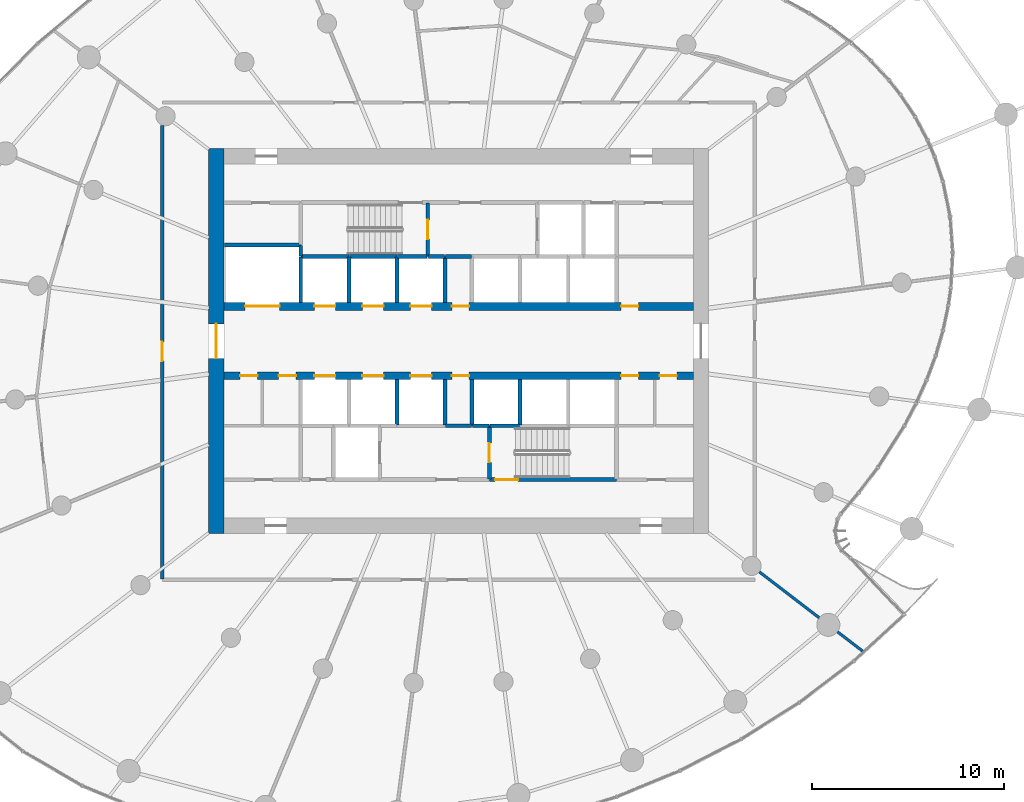
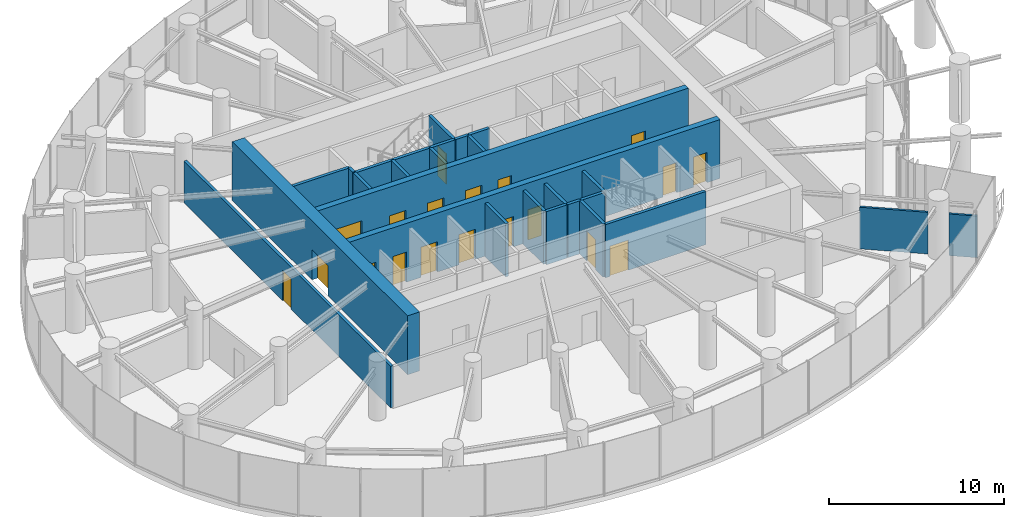
# One storey, part 15 of 21: 27 walls, 19 doors, 19 openings.
"""IFC4 building model written with IfcOpenShell, lengths in metres."""

from ifc_helpers import new_model, si_unit, direction, frame, frame_2d, origin, place, context, subcontext, project, spatial, rectangle, extrude, source, transform, mapped, material, layer, layer_set, type_object, element, fill, save


model = new_model("IFC4")

# Units and contexts
model_context = context("Model", 3, precision=1e-05, world=origin(), true_north=direction((0.0, 1.0)))
body_context = subcontext(model_context, "Body", "Model", "MODEL_VIEW")
ifc_project = project(units=[si_unit("LENGTHUNIT", "METRE"), si_unit("AREAUNIT", "SQUARE_METRE"), si_unit("VOLUMEUNIT", "CUBIC_METRE"), si_unit("PLANEANGLEUNIT", "RADIAN"), si_unit("MASSUNIT", "GRAM", prefix="KILO")], contexts=[model_context])

# Site, building, storey
site_placement = place(None, origin())
site = spatial("IfcSite", under=ifc_project, at=site_placement, CompositionType="ELEMENT")
building_placement = place(site_placement, origin())
building = spatial("IfcBuilding", under=site, at=building_placement, Name="Spindrift Exchange Tower", CompositionType="ELEMENT")
storey_placement = place(building_placement, frame((0.0, 0.0, 83.89990234375)))
storey = spatial("IfcBuildingStorey", under=building, at=storey_placement, Name="L19", CompositionType="ELEMENT", Elevation=83.89990234375)

# Wall, opening, door
ifc_material_1 = material(Name="Concrete 65 MPa", Category="concrete")
ifc_layer_1 = layer(ifc_material_1, 0.800048828125)
ifc_layer_set_1 = layer_set([ifc_layer_1], Name="RC Core Wall 800 Concrete 65 MPa")
wall_type_1 = type_object("IfcWallType", Name="RC Core Wall 800 Concrete 65 MPa", PredefinedType="SHEAR", material=ifc_layer_set_1)
wall_1_placement = place(storey_placement, frame((39.39990234375, 58.0, 0.0), z_axis=(0.0, 0.0, 1.0), x_axis=(0.0, -1.0, 0.0)))
wall_1 = element("IfcWall", 1, at=wall_1_placement, inside=storey, type_object=wall_type_1, Name="Core wall W L19", PredefinedType="SHEAR", context=body_context, shape_type="SweptSolid", body=[
    extrude(rectangle(XDim=20.0, YDim=0.800048828125, at=frame_2d((10.0, 0.0))), origin(), (0.0, 0.0, 1.0), 4.10009765625),
])
opening_1_placement = place(wall_1_placement, frame((9.10009765625, 0.0, 0.0)))
opening_1 = element("IfcOpeningElement", 2, at=opening_1_placement, cuts=wall_1, Name="Opening L19-D1", PredefinedType="OPENING", context=body_context, shape_type="SweptSolid", body=[
    extrude(rectangle(XDim=1.800048828125, YDim=2.10009765625, at=frame_2d((0.89990234375, 1.050048828125))), frame((0.0, 0.409912109375, 0.0), z_axis=(0.0, -1.0, 0.0), x_axis=(1.0, 0.0, 0.0)), (0.0, 0.0, 1.0), 0.820068359375),
])
ifc_material_2 = material(Name="Timber-core fire door", Category="wood")
door_type_1 = type_object("IfcDoorType", Name="DR-LOBBY-1800", OperationType="NOTDEFINED", PredefinedType="DOOR", material=ifc_material_2)
shared_shape_1 = source(origin(), body_context, "Body", "SweptSolid", [
    extrude(rectangle(XDim=1.800048828125, YDim=2.10009765625, at=frame_2d((0.89990234375, 1.050048828125))), frame((0.0, 0.02490234375, 0.0), z_axis=(0.0, -1.0, 0.0), x_axis=(1.0, 0.0, 0.0)), (0.0, 0.0, 1.0), 0.050048828125),
])
door_1_placement = place(opening_1_placement, origin())
door_1 = element("IfcDoor", 3, at=door_1_placement, inside=storey, type_object=door_type_1, Name="L19 Lobby door 1", OperationType="SINGLE_SWING_LEFT", OverallHeight=2.10009765625, OverallWidth=1.800048828125, PredefinedType="DOOR", context=body_context, shape_type="MappedRepresentation", body=[
    mapped(shared_shape_1, transform((0.0, 0.0, 0.0), scale=1.0)),
])
fill(opening_1, door_1)

# Wall, openings, doors
ifc_layer_2 = layer(ifc_material_1, 0.39990234375)
ifc_layer_set_2 = layer_set([ifc_layer_2], Name="RC Spine Wall 400 Concrete 65 MPa")
wall_type_2 = type_object("IfcWallType", Name="RC Spine Wall 400 Concrete 65 MPa", PredefinedType="SHEAR", material=ifc_layer_set_2)
wall_2_placement = place(storey_placement, frame((39.800048828125, 49.800048828125, 0.0), z_axis=(0.0, 0.0, 1.0), x_axis=(1.0, 0.0, 0.0)))
wall_2 = element("IfcWall", 4, at=wall_2_placement, inside=storey, type_object=wall_type_2, Name="Core spine wall N L19", PredefinedType="SHEAR", context=body_context, shape_type="SweptSolid", body=[
    extrude(rectangle(XDim=24.39990234375, YDim=0.39990234375, at=frame_2d((12.199951171875, 0.0))), origin(), (0.0, 0.0, 1.0), 4.10009765625),
])
opening_2_placement = place(wall_2_placement, frame((4.699951171875, 0.0, 0.0)))
opening_2 = element("IfcOpeningElement", 5, at=opening_2_placement, cuts=wall_2, Name="Opening L19-D3", PredefinedType="OPENING", context=body_context, shape_type="SweptSolid", body=[
    extrude(rectangle(XDim=1.10009765625, YDim=2.10009765625, at=frame_2d((0.550048828125, 1.050048828125))), frame((0.0, 0.2099609375, 0.0), z_axis=(0.0, -1.0, 0.0), x_axis=(1.0, 0.0, 0.0)), (0.0, 0.0, 1.0), 0.419921875),
])
opening_3_placement = place(wall_2_placement, frame((7.199951171875, 0.0, 0.0)))
opening_3 = element("IfcOpeningElement", 6, at=opening_3_placement, cuts=wall_2, Name="Opening L19-D4", PredefinedType="OPENING", context=body_context, shape_type="SweptSolid", body=[
    extrude(rectangle(XDim=1.10009765625, YDim=2.10009765625, at=frame_2d((0.550048828125, 1.050048828125))), frame((0.0, 0.2099609375, 0.0), z_axis=(0.0, -1.0, 0.0), x_axis=(1.0, 0.0, 0.0)), (0.0, 0.0, 1.0), 0.419921875),
])
opening_4_placement = place(wall_2_placement, frame((9.699951171875, 0.0, 0.0)))
opening_4 = element("IfcOpeningElement", 7, at=opening_4_placement, cuts=wall_2, Name="Opening L19-D5", PredefinedType="OPENING", context=body_context, shape_type="SweptSolid", body=[
    extrude(rectangle(XDim=1.10009765625, YDim=2.10009765625, at=frame_2d((0.550048828125, 1.050048828125))), frame((0.0, 0.2099609375, 0.0), z_axis=(0.0, -1.0, 0.0), x_axis=(1.0, 0.0, 0.0)), (0.0, 0.0, 1.0), 0.419921875),
])
opening_5_placement = place(wall_2_placement, frame((1.10009765625, 0.0, 0.0)))
opening_5 = element("IfcOpeningElement", 8, at=opening_5_placement, cuts=wall_2, Name="Opening L19-D12", PredefinedType="OPENING", context=body_context, shape_type="SweptSolid", body=[
    extrude(rectangle(XDim=1.800048828125, YDim=2.39990234375, at=frame_2d((0.89990234375, 1.199951171875))), frame((0.0, 0.2099609375, 0.0), z_axis=(0.0, -1.0, 0.0), x_axis=(1.0, 0.0, 0.0)), (0.0, 0.0, 1.0), 0.419921875),
])
opening_6_placement = place(wall_2_placement, frame((20.64990234375, 0.0, 0.0)))
opening_6 = element("IfcOpeningElement", 9, at=opening_6_placement, cuts=wall_2, Name="Opening L19-D47", PredefinedType="OPENING", context=body_context, shape_type="SweptSolid", body=[
    extrude(rectangle(XDim=0.89990234375, YDim=2.10009765625, at=frame_2d((0.449951171875, 1.050048828125))), frame((0.0, 0.2099609375, 0.0), z_axis=(0.0, -1.0, 0.0), x_axis=(1.0, 0.0, 0.0)), (0.0, 0.0, 1.0), 0.419921875),
])
opening_7_placement = place(wall_2_placement, frame((11.85009765625, 0.0, 0.0)))
opening_7 = element("IfcOpeningElement", 10, at=opening_7_placement, cuts=wall_2, Name="Opening L19-D52", PredefinedType="OPENING", context=body_context, shape_type="SweptSolid", body=[
    extrude(rectangle(XDim=0.89990234375, YDim=2.10009765625, at=frame_2d((0.449951171875, 1.050048828125))), frame((0.0, 0.2099609375, 0.0), z_axis=(0.0, -1.0, 0.0), x_axis=(1.0, 0.0, 0.0)), (0.0, 0.0, 1.0), 0.419921875),
])
ifc_material_3 = material(Name="Stainless steel landing door", Category="steel")
door_type_2 = type_object("IfcDoorType", Name="DR-LANDING-1100-SL", OperationType="DOUBLE_DOOR_SLIDING", PredefinedType="USERDEFINED", material=ifc_material_3)
shared_shape_2 = source(origin(), body_context, "Body", "SweptSolid", [
    extrude(rectangle(XDim=1.10009765625, YDim=2.10009765625, at=frame_2d((0.550048828125, 1.050048828125))), frame((0.0, 0.02490234375, 0.0), z_axis=(0.0, -1.0, 0.0), x_axis=(1.0, 0.0, 0.0)), (0.0, 0.0, 1.0), 0.050048828125),
])
door_2_placement = place(opening_2_placement, origin())
door_2 = element("IfcDoor", 11, at=door_2_placement, inside=storey, type_object=door_type_2, Name="L19 Lift landing door 3", ObjectType="LANDING DOOR", OperationType="DOUBLE_DOOR_SLIDING", OverallHeight=2.10009765625, OverallWidth=1.10009765625, PredefinedType="USERDEFINED", context=body_context, shape_type="MappedRepresentation", body=[
    mapped(shared_shape_2, transform((0.0, 0.0, 0.0), scale=1.0)),
])
fill(opening_2, door_2)
door_3_placement = place(opening_3_placement, origin())
door_3 = element("IfcDoor", 12, at=door_3_placement, inside=storey, type_object=door_type_2, Name="L19 Lift landing door 4", ObjectType="LANDING DOOR", OperationType="DOUBLE_DOOR_SLIDING", OverallHeight=2.10009765625, OverallWidth=1.10009765625, PredefinedType="USERDEFINED", context=body_context, shape_type="MappedRepresentation", body=[
    mapped(shared_shape_2, transform((0.0, 0.0, 0.0), scale=1.0)),
])
fill(opening_3, door_3)
door_4_placement = place(opening_4_placement, origin())
door_4 = element("IfcDoor", 13, at=door_4_placement, inside=storey, type_object=door_type_2, Name="L19 Lift landing door 5", ObjectType="LANDING DOOR", OperationType="DOUBLE_DOOR_SLIDING", OverallHeight=2.10009765625, OverallWidth=1.10009765625, PredefinedType="USERDEFINED", context=body_context, shape_type="MappedRepresentation", body=[
    mapped(shared_shape_2, transform((0.0, 0.0, 0.0), scale=1.0)),
])
fill(opening_4, door_4)
door_type_3 = type_object("IfcDoorType", Name="DR-LANDING-1800-SL", OperationType="DOUBLE_DOOR_SLIDING", PredefinedType="USERDEFINED", material=ifc_material_3)
shared_shape_3 = source(origin(), body_context, "Body", "SweptSolid", [
    extrude(rectangle(XDim=1.800048828125, YDim=2.39990234375, at=frame_2d((0.89990234375, 1.199951171875))), frame((0.0, 0.02490234375, 0.0), z_axis=(0.0, -1.0, 0.0), x_axis=(1.0, 0.0, 0.0)), (0.0, 0.0, 1.0), 0.050048828125),
])
door_5_placement = place(opening_5_placement, origin())
door_5 = element("IfcDoor", 14, at=door_5_placement, inside=storey, type_object=door_type_3, Name="L19 Lift landing door 12", ObjectType="LANDING DOOR", OperationType="DOUBLE_DOOR_SLIDING", OverallHeight=2.39990234375, OverallWidth=1.800048828125, PredefinedType="USERDEFINED", context=body_context, shape_type="MappedRepresentation", body=[
    mapped(shared_shape_3, transform((0.0, 0.0, 0.0), scale=1.0)),
])
fill(opening_5, door_5)
ifc_material_4 = material(Name="Steel access door", Category="steel")
door_type_4 = type_object("IfcDoorType", Name="DR-RISER-900", OperationType="NOTDEFINED", PredefinedType="DOOR", material=ifc_material_4)
shared_shape_4 = source(origin(), body_context, "Body", "SweptSolid", [
    extrude(rectangle(XDim=0.89990234375, YDim=2.10009765625, at=frame_2d((0.449951171875, 1.050048828125))), frame((0.0, 0.02490234375, 0.0), z_axis=(0.0, -1.0, 0.0), x_axis=(1.0, 0.0, 0.0)), (0.0, 0.0, 1.0), 0.050048828125),
])
door_6_placement = place(opening_6_placement, origin())
door_6 = element("IfcDoor", 15, at=door_6_placement, inside=storey, type_object=door_type_4, Name="L19 Riser door 47", OperationType="SINGLE_SWING_LEFT", OverallHeight=2.10009765625, OverallWidth=0.89990234375, PredefinedType="DOOR", context=body_context, shape_type="MappedRepresentation", body=[
    mapped(shared_shape_4, transform((0.0, 0.0, 0.0), scale=1.0)),
])
fill(opening_6, door_6)
door_7_placement = place(opening_7_placement, origin())
door_7 = element("IfcDoor", 16, at=door_7_placement, inside=storey, type_object=door_type_4, Name="L19 Riser door 52", OperationType="SINGLE_SWING_RIGHT", OverallHeight=2.10009765625, OverallWidth=0.89990234375, PredefinedType="DOOR", context=body_context, shape_type="MappedRepresentation", body=[
    mapped(shared_shape_4, transform((0.0, 0.0, 0.0), scale=1.0)),
])
fill(opening_7, door_7)

wall_3_placement = place(storey_placement, frame((39.800048828125, 46.199951171875, 0.0), z_axis=(0.0, 0.0, 1.0), x_axis=(1.0, 0.0, 0.0)))
wall_3 = element("IfcWall", 17, at=wall_3_placement, inside=storey, type_object=wall_type_2, Name="Core spine wall S L19", PredefinedType="SHEAR", context=body_context, shape_type="SweptSolid", body=[
    extrude(rectangle(XDim=24.39990234375, YDim=0.39990234375, at=frame_2d((12.199951171875, 0.0))), origin(), (0.0, 0.0, 1.0), 4.10009765625),
])
opening_8_placement = place(wall_3_placement, frame((4.699951171875, 0.0, 0.0)))
opening_8 = element("IfcOpeningElement", 18, at=opening_8_placement, cuts=wall_3, Name="Opening L19-D6", PredefinedType="OPENING", context=body_context, shape_type="SweptSolid", body=[
    extrude(rectangle(XDim=1.10009765625, YDim=2.10009765625, at=frame_2d((0.550048828125, 1.050048828125))), frame((0.0, 0.2099609375, 0.0), z_axis=(0.0, -1.0, 0.0), x_axis=(1.0, 0.0, 0.0)), (0.0, 0.0, 1.0), 0.419921875),
])
opening_9_placement = place(wall_3_placement, frame((7.199951171875, 0.0, 0.0)))
opening_9 = element("IfcOpeningElement", 19, at=opening_9_placement, cuts=wall_3, Name="Opening L19-D7", PredefinedType="OPENING", context=body_context, shape_type="SweptSolid", body=[
    extrude(rectangle(XDim=1.10009765625, YDim=2.10009765625, at=frame_2d((0.550048828125, 1.050048828125))), frame((0.0, 0.2099609375, 0.0), z_axis=(0.0, -1.0, 0.0), x_axis=(1.0, 0.0, 0.0)), (0.0, 0.0, 1.0), 0.419921875),
])
opening_10_placement = place(wall_3_placement, frame((9.699951171875, 0.0, 0.0)))
opening_10 = element("IfcOpeningElement", 20, at=opening_10_placement, cuts=wall_3, Name="Opening L19-D8", PredefinedType="OPENING", context=body_context, shape_type="SweptSolid", body=[
    extrude(rectangle(XDim=1.10009765625, YDim=2.10009765625, at=frame_2d((0.550048828125, 1.050048828125))), frame((0.0, 0.2099609375, 0.0), z_axis=(0.0, -1.0, 0.0), x_axis=(1.0, 0.0, 0.0)), (0.0, 0.0, 1.0), 0.419921875),
])
opening_11_placement = place(wall_3_placement, frame((20.64990234375, 0.0, 0.0)))
opening_11 = element("IfcOpeningElement", 21, at=opening_11_placement, cuts=wall_3, Name="Opening L19-D45", PredefinedType="OPENING", context=body_context, shape_type="SweptSolid", body=[
    extrude(rectangle(XDim=0.89990234375, YDim=2.10009765625, at=frame_2d((0.449951171875, 1.050048828125))), frame((0.0, 0.2099609375, 0.0), z_axis=(0.0, -1.0, 0.0), x_axis=(1.0, 0.0, 0.0)), (0.0, 0.0, 1.0), 0.419921875),
])
opening_12_placement = place(wall_3_placement, frame((22.64990234375, 0.0, 0.0)))
opening_12 = element("IfcOpeningElement", 22, at=opening_12_placement, cuts=wall_3, Name="Opening L19-D46", PredefinedType="OPENING", context=body_context, shape_type="SweptSolid", body=[
    extrude(rectangle(XDim=0.89990234375, YDim=2.10009765625, at=frame_2d((0.449951171875, 1.050048828125))), frame((0.0, 0.2099609375, 0.0), z_axis=(0.0, -1.0, 0.0), x_axis=(1.0, 0.0, 0.0)), (0.0, 0.0, 1.0), 0.419921875),
])
opening_13_placement = place(wall_3_placement, frame((0.85009765625, 0.0, 0.0)))
opening_13 = element("IfcOpeningElement", 23, at=opening_13_placement, cuts=wall_3, Name="Opening L19-D50", PredefinedType="OPENING", context=body_context, shape_type="SweptSolid", body=[
    extrude(rectangle(XDim=0.89990234375, YDim=2.10009765625, at=frame_2d((0.449951171875, 1.050048828125))), frame((0.0, 0.2099609375, 0.0), z_axis=(0.0, -1.0, 0.0), x_axis=(1.0, 0.0, 0.0)), (0.0, 0.0, 1.0), 0.419921875),
])
opening_14_placement = place(wall_3_placement, frame((2.85009765625, 0.0, 0.0)))
opening_14 = element("IfcOpeningElement", 24, at=opening_14_placement, cuts=wall_3, Name="Opening L19-D51", PredefinedType="OPENING", context=body_context, shape_type="SweptSolid", body=[
    extrude(rectangle(XDim=0.89990234375, YDim=2.10009765625, at=frame_2d((0.449951171875, 1.050048828125))), frame((0.0, 0.2099609375, 0.0), z_axis=(0.0, -1.0, 0.0), x_axis=(1.0, 0.0, 0.0)), (0.0, 0.0, 1.0), 0.419921875),
])
opening_15_placement = place(wall_3_placement, frame((11.85009765625, 0.0, 0.0)))
opening_15 = element("IfcOpeningElement", 25, at=opening_15_placement, cuts=wall_3, Name="Opening L19-D53", PredefinedType="OPENING", context=body_context, shape_type="SweptSolid", body=[
    extrude(rectangle(XDim=0.89990234375, YDim=2.10009765625, at=frame_2d((0.449951171875, 1.050048828125))), frame((0.0, 0.2099609375, 0.0), z_axis=(0.0, -1.0, 0.0), x_axis=(1.0, 0.0, 0.0)), (0.0, 0.0, 1.0), 0.419921875),
])
door_8_placement = place(opening_8_placement, origin())
door_8 = element("IfcDoor", 26, at=door_8_placement, inside=storey, type_object=door_type_2, Name="L19 Lift landing door 6", ObjectType="LANDING DOOR", OperationType="DOUBLE_DOOR_SLIDING", OverallHeight=2.10009765625, OverallWidth=1.10009765625, PredefinedType="USERDEFINED", context=body_context, shape_type="MappedRepresentation", body=[
    mapped(shared_shape_2, transform((0.0, 0.0, 0.0), scale=1.0)),
])
fill(opening_8, door_8)
door_9_placement = place(opening_9_placement, origin())
door_9 = element("IfcDoor", 27, at=door_9_placement, inside=storey, type_object=door_type_2, Name="L19 Lift landing door 7", ObjectType="LANDING DOOR", OperationType="DOUBLE_DOOR_SLIDING", OverallHeight=2.10009765625, OverallWidth=1.10009765625, PredefinedType="USERDEFINED", context=body_context, shape_type="MappedRepresentation", body=[
    mapped(shared_shape_2, transform((0.0, 0.0, 0.0), scale=1.0)),
])
fill(opening_9, door_9)
door_10_placement = place(opening_10_placement, origin())
door_10 = element("IfcDoor", 28, at=door_10_placement, inside=storey, type_object=door_type_2, Name="L19 Lift landing door 8", ObjectType="LANDING DOOR", OperationType="DOUBLE_DOOR_SLIDING", OverallHeight=2.10009765625, OverallWidth=1.10009765625, PredefinedType="USERDEFINED", context=body_context, shape_type="MappedRepresentation", body=[
    mapped(shared_shape_2, transform((0.0, 0.0, 0.0), scale=1.0)),
])
fill(opening_10, door_10)
door_11_placement = place(opening_11_placement, origin())
door_11 = element("IfcDoor", 29, at=door_11_placement, inside=storey, type_object=door_type_4, Name="L19 Riser door 45", OperationType="SINGLE_SWING_LEFT", OverallHeight=2.10009765625, OverallWidth=0.89990234375, PredefinedType="DOOR", context=body_context, shape_type="MappedRepresentation", body=[
    mapped(shared_shape_4, transform((0.0, 0.0, 0.0), scale=1.0)),
])
fill(opening_11, door_11)
door_12_placement = place(opening_12_placement, origin())
door_12 = element("IfcDoor", 30, at=door_12_placement, inside=storey, type_object=door_type_4, Name="L19 Riser door 46", OperationType="SINGLE_SWING_RIGHT", OverallHeight=2.10009765625, OverallWidth=0.89990234375, PredefinedType="DOOR", context=body_context, shape_type="MappedRepresentation", body=[
    mapped(shared_shape_4, transform((0.0, 0.0, 0.0), scale=1.0)),
])
fill(opening_12, door_12)
door_13_placement = place(opening_13_placement, origin())
door_13 = element("IfcDoor", 31, at=door_13_placement, inside=storey, type_object=door_type_4, Name="L19 Riser door 50", OperationType="SINGLE_SWING_RIGHT", OverallHeight=2.10009765625, OverallWidth=0.89990234375, PredefinedType="DOOR", context=body_context, shape_type="MappedRepresentation", body=[
    mapped(shared_shape_4, transform((0.0, 0.0, 0.0), scale=1.0)),
])
fill(opening_13, door_13)
door_14_placement = place(opening_14_placement, origin())
door_14 = element("IfcDoor", 32, at=door_14_placement, inside=storey, type_object=door_type_4, Name="L19 Riser door 51", OperationType="SINGLE_SWING_LEFT", OverallHeight=2.10009765625, OverallWidth=0.89990234375, PredefinedType="DOOR", context=body_context, shape_type="MappedRepresentation", body=[
    mapped(shared_shape_4, transform((0.0, 0.0, 0.0), scale=1.0)),
])
fill(opening_14, door_14)
door_15_placement = place(opening_15_placement, origin())
door_15 = element("IfcDoor", 33, at=door_15_placement, inside=storey, type_object=door_type_4, Name="L19 Riser door 53", OperationType="SINGLE_SWING_LEFT", OverallHeight=2.10009765625, OverallWidth=0.89990234375, PredefinedType="DOOR", context=body_context, shape_type="MappedRepresentation", body=[
    mapped(shared_shape_4, transform((0.0, 0.0, 0.0), scale=1.0)),
])
fill(opening_15, door_15)

# Walls
ifc_material_5 = material(Name="Fire-rated plasterboard partition", Category="gypsum")
ifc_layer_3 = layer(ifc_material_5, 0.139892578125)
ifc_layer_set_3 = layer_set([ifc_layer_3], Name="W-PLANT-140")
wall_type_3 = type_object("IfcWallType", Name="W-PLANT-140", PredefinedType="PARTITIONING", material=ifc_layer_set_3)
wall_4_placement = place(storey_placement, frame((67.632568359375, 36.004638671875, 0.0), z_axis=(0.0, 0.0, 1.0), x_axis=(0.793362528146, -0.608749454977, 0.0)))
element("IfcWall", 34, at=wall_4_placement, inside=storey, type_object=wall_type_3, Name="L19 Partition wall 88", PredefinedType="PARTITIONING", context=body_context, shape_type="SweptSolid", body=[
    extrude(rectangle(XDim=3.9169921875, YDim=0.139892578125, at=frame_2d((1.95849609375, 0.0))), origin(), (0.0, 0.0, 1.0), 2.900146484375),
])
wall_5_placement = place(storey_placement, frame((71.69921875, 32.88427734375, 0.0), z_axis=(0.0, 0.0, 1.0), x_axis=(0.793364464168, -0.608746931816, 0.0)))
element("IfcWall", 35, at=wall_5_placement, inside=storey, type_object=wall_type_3, Name="L19 Partition wall 109", PredefinedType="PARTITIONING", context=body_context, shape_type="SweptSolid", body=[
    extrude(rectangle(XDim=1.64111328125, YDim=0.139892578125, at=frame_2d((0.820556640625, 0.0))), origin(), (0.0, 0.0, 1.0), 2.900146484375),
])

# Wall, opening, door
ifc_layer_4 = layer(ifc_material_5, 0.179931640625)
ifc_layer_set_4 = layer_set([ifc_layer_4], Name="W-PLANT-180")
wall_type_4 = type_object("IfcWallType", Name="W-PLANT-180", PredefinedType="PARTITIONING", material=ifc_layer_set_4)
wall_6_placement = place(storey_placement, frame((36.60009765625, 35.6298828125, 0.0), z_axis=(0.0, 0.0, 1.0), x_axis=(0.0, 1.0, 0.0)))
wall_6 = element("IfcWall", 36, at=wall_6_placement, inside=storey, type_object=wall_type_4, Name="L19 Partition wall 60", PredefinedType="PARTITIONING", context=body_context, shape_type="SweptSolid", body=[
    extrude(rectangle(XDim=23.58251953125, YDim=0.179931640625, at=frame_2d((11.791259765625, 0.0))), origin(), (0.0, 0.0, 1.0), 2.900146484375),
])
opening_16_placement = place(wall_6_placement, frame((11.33251953125, 0.0, 0.0)))
opening_16 = element("IfcOpeningElement", 37, at=opening_16_placement, cuts=wall_6, Name="Opening L19-D34", PredefinedType="OPENING", context=body_context, shape_type="SweptSolid", body=[
    extrude(rectangle(XDim=1.0, YDim=2.10009765625, at=frame_2d((0.5, 1.050048828125))), frame((0.0, 0.099853515625, 0.0), z_axis=(0.0, -1.0, 0.0), x_axis=(1.0, 0.0, 0.0)), (0.0, 0.0, 1.0), 0.199951171875),
])
door_type_5 = type_object("IfcDoorType", Name="DR-ROOM-1000", OperationType="NOTDEFINED", PredefinedType="DOOR", material=ifc_material_2)
shared_shape_5 = source(origin(), body_context, "Body", "SweptSolid", [
    extrude(rectangle(XDim=1.0, YDim=2.10009765625, at=frame_2d((0.5, 1.050048828125))), frame((0.0, 0.02490234375, 0.0), z_axis=(0.0, -1.0, 0.0), x_axis=(1.0, 0.0, 0.0)), (0.0, 0.0, 1.0), 0.050048828125),
])
door_16_placement = place(opening_16_placement, origin())
door_16 = element("IfcDoor", 38, at=door_16_placement, inside=storey, type_object=door_type_5, Name="L19 Door 34", OperationType="SINGLE_SWING_RIGHT", OverallHeight=2.10009765625, OverallWidth=1.0, PredefinedType="DOOR", context=body_context, shape_type="MappedRepresentation", body=[
    mapped(shared_shape_5, transform((0.0, 0.0, 0.0), scale=1.0)),
])
fill(opening_16, door_16)

# Walls
ifc_material_6 = material(Name="Concrete 40 MPa", Category="concrete")
ifc_layer_5 = layer(ifc_material_6, 0.199951171875)
ifc_layer_set_5 = layer_set([ifc_layer_5], Name="W-SHAFT-200")
wall_type_5 = type_object("IfcWallType", Name="W-SHAFT-200", PredefinedType="SOLIDWALL", material=ifc_layer_set_5)
for number, where, z_axis, x_axis, name in (
    (39, (48.800048828125, 43.6298828125, 0.0), (0.0, 0.0, 1.0), (0.0, 1.0, 0.0), "L19 Shaft wall 27"),
    (40, (51.300048828125, 43.6298828125, 0.0), (0.0, 0.0, 1.0), (0.0, 1.0, 0.0), "L19 Shaft wall 29"),
):
    element("IfcWall", number, at=place(storey_placement, frame(where, z_axis=z_axis, x_axis=x_axis)), inside=storey, type_object=wall_type_5, Name=name, PredefinedType="SOLIDWALL", context=body_context, shape_type="SweptSolid", body=[
        extrude(rectangle(XDim=2.360107421875, YDim=0.199951171875, at=frame_2d((1.18017578125, 0.0))), origin(), (0.0, 0.0, 1.0), 3.7001953125),
    ])
for number, where, z_axis, x_axis, name in (
    (41, (51.300048828125, 50.010009765625, 0.0), (0.0, 0.0, 1.0), (0.0, 1.0, 0.0), "L19 Shaft wall 30"),
    (42, (52.699951171875, 45.989990234375, 0.0), (0.0, 0.0, 1.0), (0.0, -1.0, 0.0), "L19 Shaft wall 31"),
):
    element("IfcWall", number, at=place(storey_placement, frame(where, z_axis=z_axis, x_axis=x_axis)), inside=storey, type_object=wall_type_5, Name=name, PredefinedType="SOLIDWALL", context=body_context, shape_type="SweptSolid", body=[
        extrude(rectangle(XDim=2.389892578125, YDim=0.199951171875, at=frame_2d((1.19482421875, 0.0))), origin(), (0.0, 0.0, 1.0), 3.7001953125),
    ])
for number, where, z_axis, x_axis, name in (
    (43, (52.669921875, 43.60009765625, 0.0), (0.0, 0.0, 1.0), (-1.0, 0.0, 0.0), "L19 Shaft wall 48"),
    (44, (51.330078125, 52.39990234375, 0.0), (0.0, 0.0, 1.0), (1.0, 0.0, 0.0), "L19 Shaft wall 49"),
):
    element("IfcWall", number, at=place(storey_placement, frame(where, z_axis=z_axis, x_axis=x_axis)), inside=storey, type_object=wall_type_5, Name=name, PredefinedType="SOLIDWALL", context=body_context, shape_type="SweptSolid", body=[
        extrude(rectangle(XDim=1.33984375, YDim=0.199951171875, at=frame_2d((0.669921875, 0.0))), origin(), (0.0, 0.0, 1.0), 3.7001953125),
    ])

# Wall, opening, door
ifc_layer_6 = layer(ifc_material_6, 0.199951171875)
ifc_layer_set_6 = layer_set([ifc_layer_6], Name="W-SHAFT-200-LB")
wall_type_6 = type_object("IfcWallType", Name="W-SHAFT-200-LB", PredefinedType="SOLIDWALL", material=ifc_layer_set_6)
wall_7_placement = place(storey_placement, frame((53.60009765625, 40.800048828125, 0.0), z_axis=(0.0, 0.0, 1.0), x_axis=(1.0, 0.0, 0.0)))
wall_7 = element("IfcWall", 45, at=wall_7_placement, inside=storey, type_object=wall_type_6, Name="L19 Shaft wall 2", PredefinedType="SOLIDWALL", context=body_context, shape_type="SweptSolid", body=[
    extrude(rectangle(XDim=6.599853515625, YDim=0.199951171875, at=frame_2d((3.2998046875, 0.0))), origin(), (0.0, 0.0, 1.0), 3.7001953125),
])
opening_17_placement = place(wall_7_placement, frame((0.300048828125, 0.0, 0.0)))
opening_17 = element("IfcOpeningElement", 46, at=opening_17_placement, cuts=wall_7, Name="Opening L19-D16", PredefinedType="OPENING", context=body_context, shape_type="SweptSolid", body=[
    extrude(rectangle(XDim=1.199951171875, YDim=2.10009765625, at=frame_2d((0.60009765625, 1.050048828125))), frame((0.0, 0.10986328125, 0.0), z_axis=(0.0, -1.0, 0.0), x_axis=(1.0, 0.0, 0.0)), (0.0, 0.0, 1.0), 0.219970703125),
])
ifc_material_7 = material(Name="Steel fire door", Category="steel")
door_type_6 = type_object("IfcDoorType", Name="DR-STAIR-1200", OperationType="NOTDEFINED", PredefinedType="DOOR", material=ifc_material_7)
shared_shape_6 = source(origin(), body_context, "Body", "SweptSolid", [
    extrude(rectangle(XDim=1.199951171875, YDim=2.10009765625, at=frame_2d((0.60009765625, 1.050048828125))), frame((0.0, 0.02490234375, 0.0), z_axis=(0.0, -1.0, 0.0), x_axis=(1.0, 0.0, 0.0)), (0.0, 0.0, 1.0), 0.050048828125),
])
door_17_placement = place(opening_17_placement, origin())
door_17 = element("IfcDoor", 47, at=door_17_placement, inside=storey, type_object=door_type_6, Name="L19 Stair door 16", OperationType="SINGLE_SWING_RIGHT", OverallHeight=2.10009765625, OverallWidth=1.199951171875, PredefinedType="DOOR", context=body_context, shape_type="MappedRepresentation", body=[
    mapped(shared_shape_6, transform((0.0, 0.0, 0.0), scale=1.0)),
])
fill(opening_17, door_17)

# Wall
wall_8_placement = place(storey_placement, frame((43.800048828125, 53.0, 0.0), z_axis=(0.0, 0.0, 1.0), x_axis=(-1.0, 0.0, 0.0)))
element("IfcWall", 48, at=wall_8_placement, inside=storey, type_object=wall_type_6, Name="L19 Shaft wall 5", PredefinedType="SOLIDWALL", context=body_context, shape_type="SweptSolid", body=[
    extrude(rectangle(XDim=3.97998046875, YDim=0.199951171875, at=frame_2d((1.989990234375, 0.0))), origin(), (0.0, 0.0, 1.0), 3.7001953125),
])

# Wall, opening, door
wall_9_placement = place(storey_placement, frame((50.39990234375, 52.39990234375, 0.0), z_axis=(0.0, 0.0, 1.0), x_axis=(0.0, 1.0, 0.0)))
wall_9 = element("IfcWall", 49, at=wall_9_placement, inside=storey, type_object=wall_type_6, Name="L19 Shaft wall 9", PredefinedType="SOLIDWALL", context=body_context, shape_type="SweptSolid", body=[
    extrude(rectangle(XDim=2.77001953125, YDim=0.199951171875, at=frame_2d((1.385009765625, 0.0))), origin(), (0.0, 0.0, 1.0), 3.7001953125),
])
opening_18_placement = place(wall_9_placement, frame((0.89990234375, 0.0, 0.0)))
opening_18 = element("IfcOpeningElement", 50, at=opening_18_placement, cuts=wall_9, Name="Opening L19-D14", PredefinedType="OPENING", context=body_context, shape_type="SweptSolid", body=[
    extrude(rectangle(XDim=1.0, YDim=2.10009765625, at=frame_2d((0.5, 1.050048828125))), frame((0.0, 0.10986328125, 0.0), z_axis=(0.0, -1.0, 0.0), x_axis=(1.0, 0.0, 0.0)), (0.0, 0.0, 1.0), 0.219970703125),
])
door_type_7 = type_object("IfcDoorType", Name="DR-STAIR-1000", OperationType="NOTDEFINED", PredefinedType="DOOR", material=ifc_material_7)
shared_shape_7 = source(origin(), body_context, "Body", "SweptSolid", [
    extrude(rectangle(XDim=1.0, YDim=2.10009765625, at=frame_2d((0.5, 1.050048828125))), frame((0.0, 0.02490234375, 0.0), z_axis=(0.0, -1.0, 0.0), x_axis=(1.0, 0.0, 0.0)), (0.0, 0.0, 1.0), 0.050048828125),
])
door_18_placement = place(opening_18_placement, origin())
door_18 = element("IfcDoor", 51, at=door_18_placement, inside=storey, type_object=door_type_7, Name="L19 Stair door 14", OperationType="SINGLE_SWING_RIGHT", OverallHeight=2.10009765625, OverallWidth=1.0, PredefinedType="DOOR", context=body_context, shape_type="MappedRepresentation", body=[
    mapped(shared_shape_7, transform((0.0, 0.0, 0.0), scale=1.0)),
])
fill(opening_18, door_18)

wall_10_placement = place(storey_placement, frame((53.60009765625, 43.60009765625, 0.0), z_axis=(0.0, 0.0, 1.0), x_axis=(0.0, -1.0, 0.0)))
wall_10 = element("IfcWall", 52, at=wall_10_placement, inside=storey, type_object=wall_type_6, Name="L19 Shaft wall 11", PredefinedType="SOLIDWALL", context=body_context, shape_type="SweptSolid", body=[
    extrude(rectangle(XDim=2.77001953125, YDim=0.199951171875, at=frame_2d((1.385009765625, 0.0))), origin(), (0.0, 0.0, 1.0), 3.7001953125),
])
opening_19_placement = place(wall_10_placement, frame((0.89990234375, 0.0, 0.0)))
opening_19 = element("IfcOpeningElement", 53, at=opening_19_placement, cuts=wall_10, Name="Opening L19-D17", PredefinedType="OPENING", context=body_context, shape_type="SweptSolid", body=[
    extrude(rectangle(XDim=1.0, YDim=2.10009765625, at=frame_2d((0.5, 1.050048828125))), frame((0.0, 0.10986328125, 0.0), z_axis=(0.0, -1.0, 0.0), x_axis=(1.0, 0.0, 0.0)), (0.0, 0.0, 1.0), 0.219970703125),
])
door_19_placement = place(opening_19_placement, origin())
door_19 = element("IfcDoor", 54, at=door_19_placement, inside=storey, type_object=door_type_7, Name="L19 Stair door 17", OperationType="SINGLE_SWING_LEFT", OverallHeight=2.10009765625, OverallWidth=1.0, PredefinedType="DOOR", context=body_context, shape_type="MappedRepresentation", body=[
    mapped(shared_shape_7, transform((0.0, 0.0, 0.0), scale=1.0)),
])
fill(opening_19, door_19)

# Walls
wall_11_placement = place(storey_placement, frame((46.300048828125, 52.39990234375, 0.0), z_axis=(0.0, 0.0, 1.0), x_axis=(-1.0, 0.0, 0.0)))
element("IfcWall", 55, at=wall_11_placement, inside=storey, type_object=wall_type_6, Name="L19 Shaft wall 15", PredefinedType="SOLIDWALL", context=body_context, shape_type="SweptSolid", body=[
    extrude(rectangle(XDim=2.5, YDim=0.199951171875, at=frame_2d((1.25, 0.0))), origin(), (0.0, 0.0, 1.0), 3.7001953125),
])
wall_12_placement = place(storey_placement, frame((48.800048828125, 52.39990234375, 0.0), z_axis=(0.0, 0.0, 1.0), x_axis=(-1.0, 0.0, 0.0)))
element("IfcWall", 56, at=wall_12_placement, inside=storey, type_object=wall_type_6, Name="L19 Shaft wall 16", PredefinedType="SOLIDWALL", context=body_context, shape_type="SweptSolid", body=[
    extrude(rectangle(XDim=2.469970703125, YDim=0.199951171875, at=frame_2d((1.23486328125, 0.0))), origin(), (0.0, 0.0, 1.0), 3.7001953125),
])
for number, where, z_axis, x_axis, name in (
    (57, (43.800048828125, 52.3701171875, 0.0), (0.0, 0.0, 1.0), (0.0, -1.0, 0.0), "L19 Shaft wall 24"),
    (58, (46.300048828125, 50.010009765625, 0.0), (0.0, 0.0, 1.0), (0.0, 1.0, 0.0), "L19 Shaft wall 26"),
    (59, (48.800048828125, 50.010009765625, 0.0), (0.0, 0.0, 1.0), (0.0, 1.0, 0.0), "L19 Shaft wall 28"),
    (60, (55.199951171875, 43.6298828125, 0.0), (0.0, 0.0, 1.0), (0.0, 1.0, 0.0), "L19 Shaft wall 33"),
):
    element("IfcWall", number, at=place(storey_placement, frame(where, z_axis=z_axis, x_axis=x_axis)), inside=storey, type_object=wall_type_6, Name=name, PredefinedType="SOLIDWALL", context=body_context, shape_type="SweptSolid", body=[
        extrude(rectangle(XDim=2.360107421875, YDim=0.199951171875, at=frame_2d((1.18017578125, 0.0))), origin(), (0.0, 0.0, 1.0), 3.7001953125),
    ])
for number, where, z_axis, x_axis, name in (
    (61, (50.3701171875, 52.39990234375, 0.0), (0.0, 0.0, 1.0), (-1.0, 0.0, 0.0), "L19 Shaft wall 45"),
    (62, (53.6298828125, 43.60009765625, 0.0), (0.0, 0.0, 1.0), (1.0, 0.0, 0.0), "L19 Shaft wall 46"),
):
    element("IfcWall", number, at=place(storey_placement, frame(where, z_axis=z_axis, x_axis=x_axis)), inside=storey, type_object=wall_type_6, Name=name, PredefinedType="SOLIDWALL", context=body_context, shape_type="SweptSolid", body=[
        extrude(rectangle(XDim=1.5400390625, YDim=0.199951171875, at=frame_2d((0.77001953125, 0.0))), origin(), (0.0, 0.0, 1.0), 3.7001953125),
    ])
for number, where, z_axis, x_axis, name in (
    (63, (51.27001953125, 52.39990234375, 0.0), (0.0, 0.0, 1.0), (-1.0, 0.0, 0.0), "L19 Shaft wall 51"),
    (64, (52.72998046875, 43.60009765625, 0.0), (0.0, 0.0, 1.0), (1.0, 0.0, 0.0), "L19 Shaft wall 52"),
):
    element("IfcWall", number, at=place(storey_placement, frame(where, z_axis=z_axis, x_axis=x_axis)), inside=storey, type_object=wall_type_6, Name=name, PredefinedType="SOLIDWALL", context=body_context, shape_type="SweptSolid", body=[
        extrude(rectangle(XDim=0.840087890625, YDim=0.199951171875, at=frame_2d((0.419921875, 0.0))), origin(), (0.0, 0.0, 1.0), 3.7001953125),
    ])
wall_13_placement = place(storey_placement, frame((43.800048828125, 52.429931640625, 0.0), z_axis=(0.0, 0.0, 1.0), x_axis=(0.0, 1.0, 0.0)))
element("IfcWall", 65, at=wall_13_placement, inside=storey, type_object=wall_type_6, Name="L19 Shaft wall 56", PredefinedType="SOLIDWALL", context=body_context, shape_type="SweptSolid", body=[
    extrude(rectangle(XDim=0.5400390625, YDim=0.199951171875, at=frame_2d((0.27001953125, 0.0))), origin(), (0.0, 0.0, 1.0), 3.7001953125),
])

save(model, "model.ifc")
